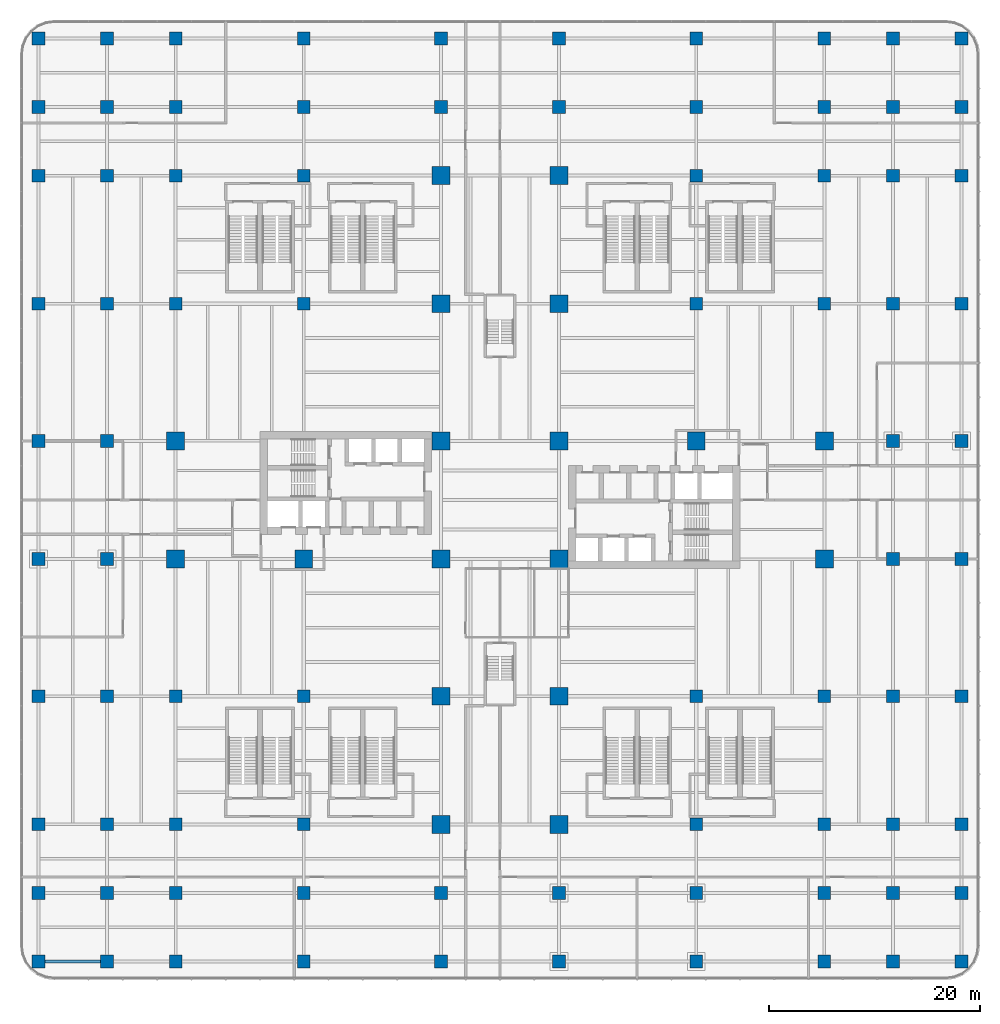
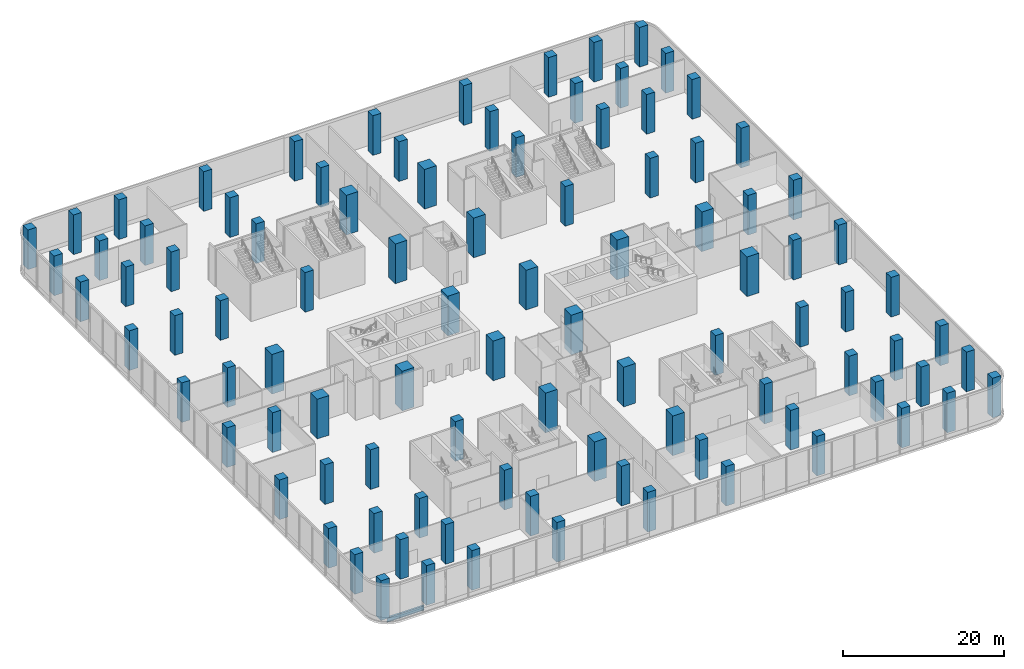
# One storey, part 1 of 41: 98 columns, 1 beam.
"""IFC4 building model written with IfcOpenShell, lengths in metres."""

from ifc_helpers import new_model, si_unit, direction, frame, origin, origin_2d, place, context, subcontext, project, spatial, rectangle, i_section, extrude, source, transform, mapped, material, material_profile, profile_set, type_object, element, save


model = new_model("IFC4")

# Units and contexts
model_context = context("Model", 3, precision=1e-05, world=origin(), true_north=direction((0.0, 1.0)))
body_context = subcontext(model_context, "Body", "Model", "MODEL_VIEW")
ifc_project = project(units=[si_unit("LENGTHUNIT", "METRE"), si_unit("AREAUNIT", "SQUARE_METRE"), si_unit("VOLUMEUNIT", "CUBIC_METRE"), si_unit("PLANEANGLEUNIT", "RADIAN"), si_unit("MASSUNIT", "GRAM", prefix="KILO")], contexts=[model_context])

# Site, building, storey
site_placement = place(None, origin())
site = spatial("IfcSite", under=ifc_project, at=site_placement, CompositionType="ELEMENT")
building_placement = place(site_placement, origin())
building = spatial("IfcBuilding", under=site, at=building_placement, Name="Trellis Farm Tower", CompositionType="ELEMENT")
storey_placement = place(building_placement, frame((0.0, 0.0, 8.0)))
storey = spatial("IfcBuildingStorey", under=building, at=storey_placement, Name="L01", CompositionType="ELEMENT", Elevation=8.0)

# Columns
ifc_material_1 = material(Name="Concrete C80/95", Category="concrete")
ifc_material_profile_1 = material_profile(ifc_material_1, rectangle(XDim=1.699951171875, YDim=1.699951171875, at=origin_2d()), Name="RC column 1700x1700 C80/95")
ifc_profile_set_1 = profile_set([ifc_material_profile_1], Name="Concrete C80/95")
column_type_1 = type_object("IfcColumnType", Name="RC column 1700x1700 C80/95", PredefinedType="COLUMN", material=ifc_profile_set_1)
shared_shape_1 = source(origin(), body_context, "Body", "SweptSolid", [
    extrude(rectangle(XDim=1.699951171875, YDim=1.699951171875, at=origin_2d()), origin(), (0.0, 0.0, 1.0), 6.0),
])
for number, where, z_axis, x_axis, name in (
    (1, (5.60009765625, 5.60009765625, 0.0), (0.0, 0.0, 1.0), (1.0, 0.0, 0.0), "Column"),
    (2, (5.60009765625, 18.60009765625, 0.0), (0.0, 0.0, 1.0), (1.0, 0.0, 0.0), "Column"),
    (3, (5.60009765625, 30.75, 0.0), (0.0, 0.0, 1.0), (1.0, 0.0, 0.0), "Column"),
    (4, (5.60009765625, -5.60009765625, 0.0), (0.0, 0.0, 1.0), (1.0, 0.0, 0.0), "Column"),
    (5, (5.60009765625, -18.60009765625, 0.0), (0.0, 0.0, 1.0), (1.0, 0.0, 0.0), "Column"),
    (6, (5.60009765625, -30.75, 0.0), (0.0, 0.0, 1.0), (1.0, 0.0, 0.0), "Column"),
    (7, (18.60009765625, 5.60009765625, 0.0), (0.0, 0.0, 1.0), (1.0, 0.0, 0.0), "Column"),
    (8, (30.75, 5.60009765625, 0.0), (0.0, 0.0, 1.0), (1.0, 0.0, 0.0), "Column"),
    (9, (30.75, -5.60009765625, 0.0), (0.0, 0.0, 1.0), (1.0, 0.0, 0.0), "Column"),
    (10, (-5.60009765625, 5.60009765625, 0.0), (0.0, 0.0, 1.0), (1.0, 0.0, 0.0), "Column"),
    (11, (-5.60009765625, 18.60009765625, 0.0), (0.0, 0.0, 1.0), (1.0, 0.0, 0.0), "Column"),
    (12, (-5.60009765625, 30.75, 0.0), (0.0, 0.0, 1.0), (1.0, 0.0, 0.0), "Column"),
    (13, (-5.60009765625, -5.60009765625, 0.0), (0.0, 0.0, 1.0), (1.0, 0.0, 0.0), "Column"),
    (14, (-5.60009765625, -18.60009765625, 0.0), (0.0, 0.0, 1.0), (1.0, 0.0, 0.0), "Column"),
    (15, (-5.60009765625, -30.75, 0.0), (0.0, 0.0, 1.0), (1.0, 0.0, 0.0), "Column"),
    (16, (-18.60009765625, -5.60009765625, 0.0), (0.0, 0.0, 1.0), (1.0, 0.0, 0.0), "Column"),
    (17, (-30.75, 5.60009765625, 0.0), (0.0, 0.0, 1.0), (1.0, 0.0, 0.0), "Column"),
    (18, (-30.75, -5.60009765625, 0.0), (0.0, 0.0, 1.0), (1.0, 0.0, 0.0), "Column"),
):
    element("IfcColumn", number, at=place(storey_placement, frame(where, z_axis=z_axis, x_axis=x_axis)), inside=storey, type_object=column_type_1, Name=name, PredefinedType="COLUMN", context=body_context, shape_type="MappedRepresentation", body=[
        mapped(shared_shape_1, transform((0.0, 0.0, 0.0))),
    ])
ifc_material_2 = material(Name="Concrete C70/85", Category="concrete")
ifc_material_profile_2 = material_profile(ifc_material_2, rectangle(XDim=1.199951171875, YDim=1.199951171875, at=origin_2d()), Name="RC column 1200x1200 C70/85")
ifc_profile_set_2 = profile_set([ifc_material_profile_2], Name="Concrete C70/85")
column_type_2 = type_object("IfcColumnType", Name="RC column 1200x1200 C70/85", PredefinedType="COLUMN", material=ifc_profile_set_2)
shared_shape_2 = source(origin(), body_context, "Body", "SweptSolid", [
    extrude(rectangle(XDim=1.199951171875, YDim=1.199951171875, at=origin_2d()), origin(), (0.0, 0.0, 1.0), 6.0),
])
for number, where, z_axis, x_axis, name in (
    (19, (5.60009765625, 37.25, 0.0), (0.0, 0.0, 1.0), (1.0, 0.0, 0.0), "Column"),
    (20, (5.60009765625, 43.75, 0.0), (0.0, 0.0, 1.0), (1.0, 0.0, 0.0), "Column"),
    (21, (5.60009765625, -37.25, 0.0), (0.0, 0.0, 1.0), (1.0, 0.0, 0.0), "Column"),
    (22, (5.60009765625, -43.75, 0.0), (0.0, 0.0, 1.0), (1.0, 0.0, 0.0), "Column"),
    (23, (18.60009765625, 18.60009765625, 0.0), (0.0, 0.0, 1.0), (1.0, 0.0, 0.0), "Column"),
    (24, (18.60009765625, 30.75, 0.0), (0.0, 0.0, 1.0), (1.0, 0.0, 0.0), "Column"),
    (25, (18.60009765625, 37.25, 0.0), (0.0, 0.0, 1.0), (1.0, 0.0, 0.0), "Column"),
    (26, (18.60009765625, 43.75, 0.0), (0.0, 0.0, 1.0), (1.0, 0.0, 0.0), "Column"),
    (27, (18.60009765625, -18.60009765625, 0.0), (0.0, 0.0, 1.0), (1.0, 0.0, 0.0), "Column"),
    (28, (18.60009765625, -30.75, 0.0), (0.0, 0.0, 1.0), (1.0, 0.0, 0.0), "Column"),
    (29, (18.60009765625, -37.25, 0.0), (0.0, 0.0, 1.0), (1.0, 0.0, 0.0), "Column"),
    (30, (18.60009765625, -43.75, 0.0), (0.0, 0.0, 1.0), (1.0, 0.0, 0.0), "Column"),
    (31, (30.75, 18.60009765625, 0.0), (0.0, 0.0, 1.0), (1.0, 0.0, 0.0), "Column"),
    (32, (30.75, 30.75, 0.0), (0.0, 0.0, 1.0), (1.0, 0.0, 0.0), "Column"),
    (33, (30.75, 37.25, 0.0), (0.0, 0.0, 1.0), (1.0, 0.0, 0.0), "Column"),
    (34, (30.75, 43.75, 0.0), (0.0, 0.0, 1.0), (1.0, 0.0, 0.0), "Column"),
    (35, (30.75, -18.60009765625, 0.0), (0.0, 0.0, 1.0), (1.0, 0.0, 0.0), "Column"),
    (36, (30.75, -30.75, 0.0), (0.0, 0.0, 1.0), (1.0, 0.0, 0.0), "Column"),
    (37, (30.75, -37.25, 0.0), (0.0, 0.0, 1.0), (1.0, 0.0, 0.0), "Column"),
    (38, (30.75, -43.75, 0.0), (0.0, 0.0, 1.0), (1.0, 0.0, 0.0), "Column"),
    (39, (37.25, 5.60009765625, 0.0), (0.0, 0.0, 1.0), (1.0, 0.0, 0.0), "Column"),
    (40, (37.25, 18.60009765625, 0.0), (0.0, 0.0, 1.0), (1.0, 0.0, 0.0), "Column"),
    (41, (37.25, 30.75, 0.0), (0.0, 0.0, 1.0), (1.0, 0.0, 0.0), "Column"),
    (42, (37.25, 37.25, 0.0), (0.0, 0.0, 1.0), (1.0, 0.0, 0.0), "Column"),
    (43, (37.25, 43.75, 0.0), (0.0, 0.0, 1.0), (1.0, 0.0, 0.0), "Column"),
    (44, (37.25, -5.60009765625, 0.0), (0.0, 0.0, 1.0), (1.0, 0.0, 0.0), "Column"),
    (45, (37.25, -18.60009765625, 0.0), (0.0, 0.0, 1.0), (1.0, 0.0, 0.0), "Column"),
    (46, (37.25, -30.75, 0.0), (0.0, 0.0, 1.0), (1.0, 0.0, 0.0), "Column"),
    (47, (37.25, -37.25, 0.0), (0.0, 0.0, 1.0), (1.0, 0.0, 0.0), "Column"),
    (48, (37.25, -43.75, 0.0), (0.0, 0.0, 1.0), (1.0, 0.0, 0.0), "Column"),
    (49, (43.75, 5.60009765625, 0.0), (0.0, 0.0, 1.0), (1.0, 0.0, 0.0), "Column"),
    (50, (43.75, 18.60009765625, 0.0), (0.0, 0.0, 1.0), (1.0, 0.0, 0.0), "Column"),
    (51, (43.75, 30.75, 0.0), (0.0, 0.0, 1.0), (1.0, 0.0, 0.0), "Column"),
    (52, (43.75, 37.25, 0.0), (0.0, 0.0, 1.0), (1.0, 0.0, 0.0), "Column"),
    (53, (43.75, 43.75, 0.0), (0.0, 0.0, 1.0), (1.0, 0.0, 0.0), "Column"),
    (54, (43.75, -5.60009765625, 0.0), (0.0, 0.0, 1.0), (1.0, 0.0, 0.0), "Column"),
    (55, (43.75, -18.60009765625, 0.0), (0.0, 0.0, 1.0), (1.0, 0.0, 0.0), "Column"),
    (56, (43.75, -30.75, 0.0), (0.0, 0.0, 1.0), (1.0, 0.0, 0.0), "Column"),
    (57, (43.75, -37.25, 0.0), (0.0, 0.0, 1.0), (1.0, 0.0, 0.0), "Column"),
    (58, (43.75, -43.75, 0.0), (0.0, 0.0, 1.0), (1.0, 0.0, 0.0), "Column"),
    (59, (-5.60009765625, 37.25, 0.0), (0.0, 0.0, 1.0), (1.0, 0.0, 0.0), "Column"),
    (60, (-5.60009765625, 43.75, 0.0), (0.0, 0.0, 1.0), (1.0, 0.0, 0.0), "Column"),
    (61, (-5.60009765625, -37.25, 0.0), (0.0, 0.0, 1.0), (1.0, 0.0, 0.0), "Column"),
    (62, (-5.60009765625, -43.75, 0.0), (0.0, 0.0, 1.0), (1.0, 0.0, 0.0), "Column"),
    (63, (-18.60009765625, 18.60009765625, 0.0), (0.0, 0.0, 1.0), (1.0, 0.0, 0.0), "Column"),
    (64, (-18.60009765625, 30.75, 0.0), (0.0, 0.0, 1.0), (1.0, 0.0, 0.0), "Column"),
    (65, (-18.60009765625, 37.25, 0.0), (0.0, 0.0, 1.0), (1.0, 0.0, 0.0), "Column"),
    (66, (-18.60009765625, 43.75, 0.0), (0.0, 0.0, 1.0), (1.0, 0.0, 0.0), "Column"),
    (67, (-18.60009765625, -18.60009765625, 0.0), (0.0, 0.0, 1.0), (1.0, 0.0, 0.0), "Column"),
    (68, (-18.60009765625, -30.75, 0.0), (0.0, 0.0, 1.0), (1.0, 0.0, 0.0), "Column"),
    (69, (-18.60009765625, -37.25, 0.0), (0.0, 0.0, 1.0), (1.0, 0.0, 0.0), "Column"),
    (70, (-18.60009765625, -43.75, 0.0), (0.0, 0.0, 1.0), (1.0, 0.0, 0.0), "Column"),
    (71, (-30.75, 18.60009765625, 0.0), (0.0, 0.0, 1.0), (1.0, 0.0, 0.0), "Column"),
    (72, (-30.75, 30.75, 0.0), (0.0, 0.0, 1.0), (1.0, 0.0, 0.0), "Column"),
    (73, (-30.75, 37.25, 0.0), (0.0, 0.0, 1.0), (1.0, 0.0, 0.0), "Column"),
    (74, (-30.75, 43.75, 0.0), (0.0, 0.0, 1.0), (1.0, 0.0, 0.0), "Column"),
    (75, (-30.75, -18.60009765625, 0.0), (0.0, 0.0, 1.0), (1.0, 0.0, 0.0), "Column"),
    (76, (-30.75, -30.75, 0.0), (0.0, 0.0, 1.0), (1.0, 0.0, 0.0), "Column"),
    (77, (-30.75, -37.25, 0.0), (0.0, 0.0, 1.0), (1.0, 0.0, 0.0), "Column"),
    (78, (-30.75, -43.75, 0.0), (0.0, 0.0, 1.0), (1.0, 0.0, 0.0), "Column"),
    (79, (-37.25, 5.60009765625, 0.0), (0.0, 0.0, 1.0), (1.0, 0.0, 0.0), "Column"),
    (80, (-37.25, 18.60009765625, 0.0), (0.0, 0.0, 1.0), (1.0, 0.0, 0.0), "Column"),
    (81, (-37.25, 30.75, 0.0), (0.0, 0.0, 1.0), (1.0, 0.0, 0.0), "Column"),
    (82, (-37.25, 37.25, 0.0), (0.0, 0.0, 1.0), (1.0, 0.0, 0.0), "Column"),
    (83, (-37.25, 43.75, 0.0), (0.0, 0.0, 1.0), (1.0, 0.0, 0.0), "Column"),
    (84, (-37.25, -5.60009765625, 0.0), (0.0, 0.0, 1.0), (1.0, 0.0, 0.0), "Column"),
    (85, (-37.25, -18.60009765625, 0.0), (0.0, 0.0, 1.0), (1.0, 0.0, 0.0), "Column"),
    (86, (-37.25, -30.75, 0.0), (0.0, 0.0, 1.0), (1.0, 0.0, 0.0), "Column"),
    (87, (-37.25, -37.25, 0.0), (0.0, 0.0, 1.0), (1.0, 0.0, 0.0), "Column"),
    (88, (-37.25, -43.75, 0.0), (0.0, 0.0, 1.0), (1.0, 0.0, 0.0), "Column"),
    (89, (-43.75, 5.60009765625, 0.0), (0.0, 0.0, 1.0), (1.0, 0.0, 0.0), "Column"),
    (90, (-43.75, 18.60009765625, 0.0), (0.0, 0.0, 1.0), (1.0, 0.0, 0.0), "Column"),
    (91, (-43.75, 30.75, 0.0), (0.0, 0.0, 1.0), (1.0, 0.0, 0.0), "Column"),
    (92, (-43.75, 37.25, 0.0), (0.0, 0.0, 1.0), (1.0, 0.0, 0.0), "Column"),
    (93, (-43.75, 43.75, 0.0), (0.0, 0.0, 1.0), (1.0, 0.0, 0.0), "Column"),
    (94, (-43.75, -5.60009765625, 0.0), (0.0, 0.0, 1.0), (1.0, 0.0, 0.0), "Column"),
    (95, (-43.75, -18.60009765625, 0.0), (0.0, 0.0, 1.0), (1.0, 0.0, 0.0), "Column"),
    (96, (-43.75, -30.75, 0.0), (0.0, 0.0, 1.0), (1.0, 0.0, 0.0), "Column"),
    (97, (-43.75, -37.25, 0.0), (0.0, 0.0, 1.0), (1.0, 0.0, 0.0), "Column"),
    (98, (-43.75, -43.75, 0.0), (0.0, 0.0, 1.0), (1.0, 0.0, 0.0), "Column"),
):
    element("IfcColumn", number, at=place(storey_placement, frame(where, z_axis=z_axis, x_axis=x_axis)), inside=storey, type_object=column_type_2, Name=name, PredefinedType="COLUMN", context=body_context, shape_type="MappedRepresentation", body=[
        mapped(shared_shape_2, transform((0.0, 0.0, 0.0))),
    ])

# Beam
ifc_material_3 = material(Name="Steel S355", Category="steel")
ifc_material_profile_3 = material_profile(ifc_material_3, i_section(OverallWidth=0.253662109375, OverallDepth=0.68359375, WebThickness=0.012451171875, FlangeThickness=0.021728515625, FilletRadius=0.01513671875, at=origin_2d()), Name="UB 686x254x140")
ifc_profile_set_3 = profile_set([ifc_material_profile_3], Name="Steel S355")
beam_type = type_object("IfcBeamType", Name="UB 686x254x140", PredefinedType="BEAM", material=ifc_profile_set_3)
shared_shape_3 = source(origin(), body_context, "Body", "SweptSolid", [
    extrude(i_section(OverallWidth=0.253662109375, OverallDepth=0.68359375, WebThickness=0.012451171875, FlangeThickness=0.021728515625, FilletRadius=0.01513671875, at=origin_2d()), origin(), (0.0, 0.0, 1.0), 5.2998046875),
])
beam_placement = place(storey_placement, frame((-43.14990234375, -43.75, -0.641845703125), z_axis=(1.0, 0.0, 0.0), x_axis=(0.0, 1.0, 0.0)))
element("IfcBeam", 99, at=beam_placement, inside=storey, type_object=beam_type, Name="Girder", PredefinedType="BEAM", context=body_context, shape_type="MappedRepresentation", body=[
    mapped(shared_shape_3, transform((0.0, 0.0, 0.0))),
])

save(model, "model.ifc")
